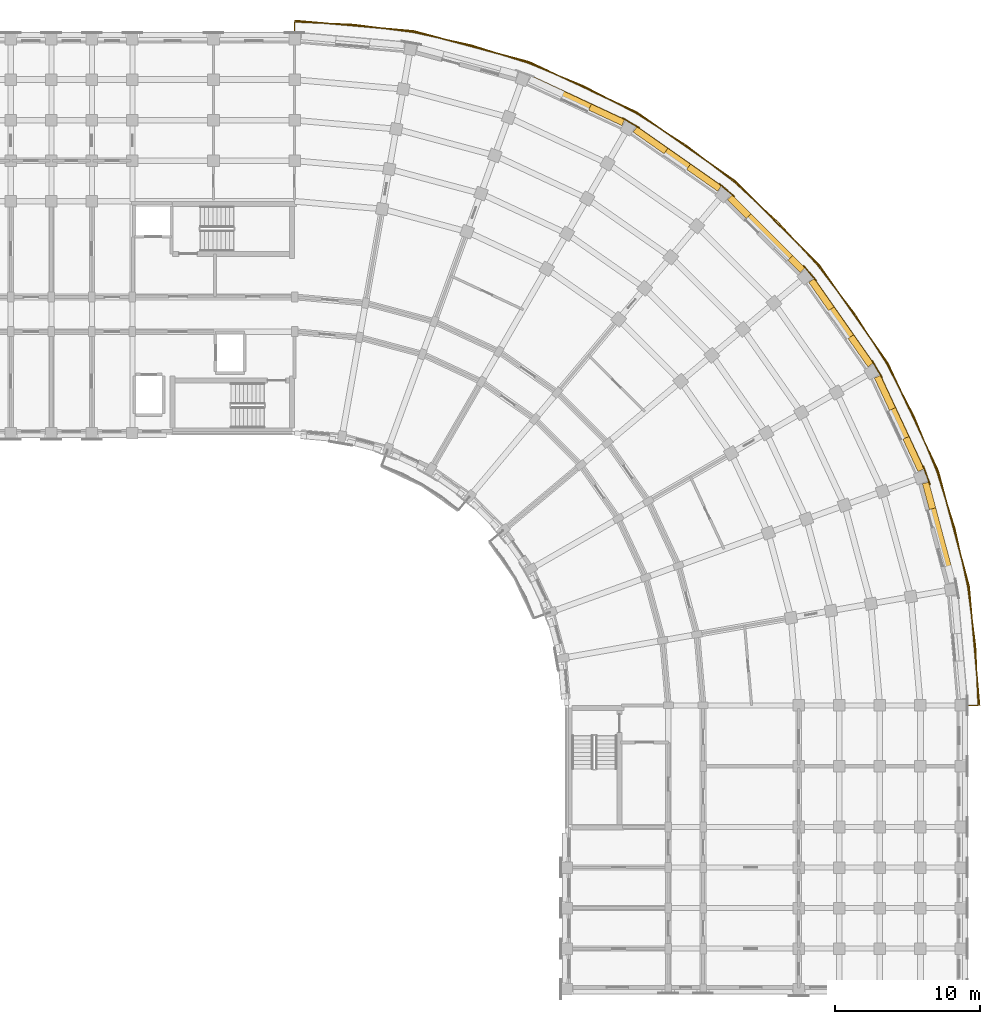
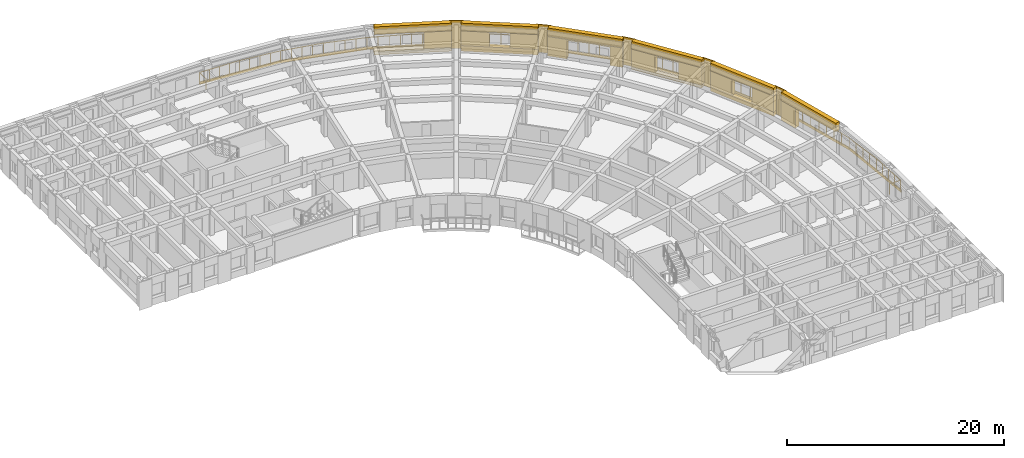
# One storey, part 52 of 54: 26 coverings, 1 railing.
"""IFC4 building model written with IfcOpenShell, lengths in metres."""

from ifc_helpers import new_model, si_unit, direction, frame, origin, origin_2d, place, context, subcontext, project, spatial, polyline, circle, outline, extrude, material, layer, layer_set, type_object, element, save


model = new_model("IFC4")

# Units and contexts
model_context = context("Model", 3, precision=1e-05, world=origin(), true_north=direction((0.0, 1.0)))
body_context = subcontext(model_context, "Body", "Model", "MODEL_VIEW")
ifc_project = project(units=[si_unit("LENGTHUNIT", "METRE"), si_unit("AREAUNIT", "SQUARE_METRE"), si_unit("VOLUMEUNIT", "CUBIC_METRE"), si_unit("PLANEANGLEUNIT", "RADIAN"), si_unit("MASSUNIT", "GRAM", prefix="KILO")], contexts=[model_context])

# Site, building, storey
site_placement = place(None, origin())
site = spatial("IfcSite", under=ifc_project, at=site_placement, CompositionType="ELEMENT")
building_placement = place(site_placement, origin())
building = spatial("IfcBuilding", under=site, at=building_placement, Name="Kiranvali Square Residences", CompositionType="ELEMENT")
storey_placement = place(building_placement, frame((0.0, 0.0, 15.0)))
storey = spatial("IfcBuildingStorey", under=building, at=storey_placement, Name="L04", CompositionType="ELEMENT", Elevation=15.0)

# Coverings
ifc_material_1 = material(Name="Carved Porbandar limestone classical entablature and cornice", Category="masonry")
ifc_layer_1 = layer(ifc_material_1, 0.072021484375)
ifc_layer_set_1 = layer_set([ifc_layer_1], Name="Carved Porbandar limestone classical entablature and cornice")
covering_type_1 = type_object("IfcCoveringType", Name="COV-CLAD-BAL", PredefinedType="CLADDING", material=ifc_layer_set_1)
covering_1_placement = place(storey_placement, frame((0.0, 0.0, -0.239990234375)))
element("IfcCovering", 1, at=covering_1_placement, inside=storey, type_object=covering_type_1, Name="Block B L04 continuous curved limestone balcony fascia", PredefinedType="CLADDING", context=body_context, shape_type="SweptSolid", body=[
    extrude(outline(polyline([(119.800048828125, 135.052001953125), (128.005126953125, 134.334228515625), (135.961181640625, 132.202392578125), (143.426025390625, 128.721435546875), (150.173095703125, 123.9970703125), (155.9970703125, 118.173095703125), (160.721435546875, 111.426025390625), (164.202392578125, 103.961181640625), (166.334228515625, 96.005126953125), (167.052001953125, 87.800048828125), (167.117919921875, 87.800048828125), (166.399169921875, 96.0166015625), (164.264404296875, 103.983642578125), (160.778564453125, 111.458984375), (156.047607421875, 118.21533203125), (150.21533203125, 124.047607421875), (143.458984375, 128.778564453125), (135.983642578125, 132.264404296875), (128.0166015625, 134.399169921875), (119.800048828125, 135.117919921875), (119.800048828125, 135.052001953125)])), origin(), (0.0, 0.0, 1.0), 0.300048828125),
])
ifc_material_2 = material(Name="Honed Porbandar limestone ashlar facade cladding", Category="masonry")
ifc_layer_2 = layer(ifc_material_2, 0.3798828125)
ifc_layer_set_2 = layer_set([ifc_layer_2], Name="Honed Porbandar limestone ashlar facade cladding")
covering_type_2 = type_object("IfcCoveringType", Name="COV-CLAD-JAMB", PredefinedType="CLADDING", material=ifc_layer_set_2)
covering_2_placement = place(storey_placement, frame((0.0, 0.0, 0.422119140625)))
element("IfcCovering", 2, at=covering_2_placement, inside=storey, type_object=covering_type_2, Name="L04 deep limestone window jamb reveal B-L04-CRV-02.R", PredefinedType="CLADDING", context=body_context, shape_type="SweptSolid", body=[
    extrude(outline(polyline([(140.095703125, 128.898681640625), (142.392333984375, 127.827880859375), (142.586669921875, 128.244140625), (140.289794921875, 129.315185546875), (140.095703125, 128.898681640625)])), origin(), (0.0, 0.0, 1.0), 1.849853515625),
])
covering_3_placement = place(storey_placement, frame((0.0, 0.0, 0.6220703125)))
element("IfcCovering", 3, at=covering_3_placement, inside=storey, type_object=covering_type_2, Name="L04 deep limestone window jamb reveal B-L04-CRV-03.L", PredefinedType="CLADDING", context=body_context, shape_type="SweptSolid", body=[
    extrude(outline(polyline([(143.1689453125, 127.37939453125), (145.30615234375, 125.8828125), (145.56982421875, 126.25927734375), (143.432373046875, 127.755859375), (143.1689453125, 127.37939453125)])), origin(), (0.0, 0.0, 1.0), 1.64990234375),
])
covering_4_placement = place(storey_placement, frame((0.0, 0.0, 0.6220703125)))
element("IfcCovering", 4, at=covering_4_placement, inside=storey, type_object=covering_type_2, Name="L04 deep limestone window jamb reveal B-L04-CRV-03.R", PredefinedType="CLADDING", context=body_context, shape_type="SweptSolid", body=[
    extrude(outline(polyline([(146.862548828125, 124.793212890625), (149.0, 123.296630859375), (149.263427734375, 123.6728515625), (147.126220703125, 125.16943359375), (146.862548828125, 124.793212890625)])), origin(), (0.0, 0.0, 1.0), 1.64990234375),
])
covering_5_placement = place(storey_placement, origin())
element("IfcCovering", 5, at=covering_5_placement, inside=storey, type_object=covering_type_2, Name="L04 deep limestone window jamb reveal B-L04-CRV-04.L", PredefinedType="CLADDING", context=body_context, shape_type="SweptSolid", body=[
    extrude(outline(polyline([(149.686767578125, 122.72021484375), (150.98876953125, 121.418212890625), (151.313720703125, 121.742919921875), (150.01171875, 123.045166015625), (149.686767578125, 122.72021484375)])), origin(), (0.0, 0.0, 1.0), 2.179931640625),
])
covering_6_placement = place(storey_placement, origin())
element("IfcCovering", 6, at=covering_6_placement, inside=storey, type_object=covering_type_2, Name="L04 deep limestone window jamb reveal B-L04-CRV-04.R", PredefinedType="CLADDING", context=body_context, shape_type="SweptSolid", body=[
    extrude(outline(polyline([(153.87109375, 118.535888671875), (154.72021484375, 117.686767578125), (155.045166015625, 118.01171875), (154.196044921875, 118.86083984375), (153.87109375, 118.535888671875)])), origin(), (0.0, 0.0, 1.0), 2.179931640625),
])
covering_7_placement = place(storey_placement, frame((0.0, 0.0, 0.322021484375)))
element("IfcCovering", 7, at=covering_7_placement, inside=storey, type_object=covering_type_2, Name="L04 deep limestone window jamb reveal B-L04-CRV-05.L", PredefinedType="CLADDING", context=body_context, shape_type="SweptSolid", body=[
    extrude(outline(polyline([(155.296630859375, 117.0), (156.6640625, 115.046875), (157.04052734375, 115.310546875), (155.6728515625, 117.263427734375), (155.296630859375, 117.0)])), origin(), (0.0, 0.0, 1.0), 1.949951171875),
])
covering_8_placement = place(storey_placement, frame((0.0, 0.0, 0.322021484375)))
element("IfcCovering", 8, at=covering_8_placement, inside=storey, type_object=covering_type_2, Name="L04 deep limestone window jamb reveal B-L04-CRV-05.R", PredefinedType="CLADDING", context=body_context, shape_type="SweptSolid", body=[
    extrude(outline(polyline([(158.011962890625, 113.121826171875), (159.37939453125, 111.1689453125), (159.755859375, 111.432373046875), (158.388427734375, 113.385498046875), (158.011962890625, 113.121826171875)])), origin(), (0.0, 0.0, 1.0), 1.949951171875),
])
covering_9_placement = place(storey_placement, frame((0.0, 0.0, 0.471923828125)))
element("IfcCovering", 9, at=covering_9_placement, inside=storey, type_object=covering_type_2, Name="L04 deep limestone window jamb reveal B-L04-CRV-06.L", PredefinedType="CLADDING", context=body_context, shape_type="SweptSolid", body=[
    extrude(outline(polyline([(159.827880859375, 110.392333984375), (160.8671875, 108.16357421875), (161.283447265625, 108.35791015625), (160.244140625, 110.586669921875), (159.827880859375, 110.392333984375)])), origin(), (0.0, 0.0, 1.0), 1.800048828125),
])
covering_10_placement = place(storey_placement, frame((0.0, 0.0, 0.471923828125)))
element("IfcCovering", 10, at=covering_10_placement, inside=storey, type_object=covering_type_2, Name="L04 deep limestone window jamb reveal B-L04-CRV-06.R", PredefinedType="CLADDING", context=body_context, shape_type="SweptSolid", body=[
    extrude(outline(polyline([(161.796875, 106.169677734375), (162.836181640625, 103.94091796875), (163.252685546875, 104.13525390625), (162.21337890625, 106.364013671875), (161.796875, 106.169677734375)])), origin(), (0.0, 0.0, 1.0), 1.800048828125),
])
covering_11_placement = place(storey_placement, origin())
element("IfcCovering", 11, at=covering_11_placement, inside=storey, type_object=covering_type_2, Name="L04 deep limestone window jamb reveal B-L04-CRV-07.L", PredefinedType="CLADDING", context=body_context, shape_type="SweptSolid", body=[
    extrude(outline(polyline([(163.142822265625, 103.098388671875), (163.619384765625, 101.31982421875), (164.063232421875, 101.438720703125), (163.586669921875, 103.21728515625), (163.142822265625, 103.098388671875)])), origin(), (0.0, 0.0, 1.0), 2.179931640625),
])
ifc_layer_3 = layer(ifc_material_2, 0.06494140625)
ifc_layer_set_3 = layer_set([ifc_layer_3], Name="Honed Porbandar limestone ashlar facade cladding")
covering_type_3 = type_object("IfcCoveringType", Name="COV-CLAD-PIER", PredefinedType="CLADDING", material=ifc_layer_set_3)
covering_12_placement = place(storey_placement, frame((0.0, 0.0, 0.0048828125)))
element("IfcCovering", 12, at=covering_12_placement, inside=storey, type_object=covering_type_3, Name="L04 Classical limestone corner pilaster CLAD-PR-B-L04-A03", PredefinedType="CLADDING", context=body_context, shape_type="SweptSolid", body=[
    extrude(outline(polyline([(143.622802734375, 127.702392578125), (142.445068359375, 128.382568359375), (142.411376953125, 128.323974609375), (143.589111328125, 127.64404296875), (143.622802734375, 127.702392578125)])), origin(), (0.0, 0.0, 1.0), 3.14013671875),
])
covering_13_placement = place(storey_placement, frame((0.0, 0.0, 0.0048828125)))
element("IfcCovering", 13, at=covering_13_placement, inside=storey, type_object=covering_type_3, Name="L04 Classical limestone corner pilaster CLAD-PR-B-L04-A04", PredefinedType="CLADDING", context=body_context, shape_type="SweptSolid", body=[
    extrude(outline(polyline([(150.18994140625, 122.95947265625), (149.148193359375, 123.833740234375), (149.104736328125, 123.781982421875), (150.146484375, 122.90771484375), (150.18994140625, 122.95947265625)])), origin(), (0.0, 0.0, 1.0), 3.14013671875),
])
covering_14_placement = place(storey_placement, frame((0.0, 0.0, 0.0048828125)))
element("IfcCovering", 14, at=covering_14_placement, inside=storey, type_object=covering_type_3, Name="L04 Classical limestone corner pilaster CLAD-PR-B-L04-A05", PredefinedType="CLADDING", context=body_context, shape_type="SweptSolid", body=[
    extrude(outline(polyline([(155.833740234375, 117.148193359375), (154.95947265625, 118.18994140625), (154.90771484375, 118.146484375), (155.781982421875, 117.104736328125), (155.833740234375, 117.148193359375)])), origin(), (0.0, 0.0, 1.0), 3.14013671875),
])
covering_15_placement = place(storey_placement, frame((0.0, 0.0, 0.0048828125)))
element("IfcCovering", 15, at=covering_15_placement, inside=storey, type_object=covering_type_3, Name="L04 Classical limestone corner pilaster CLAD-PR-B-L04-A06", PredefinedType="CLADDING", context=body_context, shape_type="SweptSolid", body=[
    extrude(outline(polyline([(160.382568359375, 110.445068359375), (159.702392578125, 111.622802734375), (159.64404296875, 111.589111328125), (160.323974609375, 110.411376953125), (160.382568359375, 110.445068359375)])), origin(), (0.0, 0.0, 1.0), 3.14013671875),
])
covering_16_placement = place(storey_placement, frame((0.0, 0.0, 0.0048828125)))
element("IfcCovering", 16, at=covering_16_placement, inside=storey, type_object=covering_type_3, Name="L04 Classical limestone corner pilaster CLAD-PR-B-L04-A07", PredefinedType="CLADDING", context=body_context, shape_type="SweptSolid", body=[
    extrude(outline(polyline([(163.6982421875, 103.053955078125), (163.233154296875, 104.33203125), (163.169677734375, 104.308837890625), (163.634765625, 103.031005859375), (163.6982421875, 103.053955078125)])), origin(), (0.0, 0.0, 1.0), 3.14013671875),
])
ifc_layer_4 = layer(ifc_material_2, 0.360107421875)
ifc_layer_set_4 = layer_set([ifc_layer_4], Name="Honed Porbandar limestone ashlar facade cladding")
covering_type_4 = type_object("IfcCoveringType", Name="COV-CLAD-WALL", PredefinedType="CLADDING", material=ifc_layer_set_4)
covering_17_placement = place(storey_placement, frame((0.0, 0.0, 2.27197265625)))
element("IfcCovering", 17, at=covering_17_placement, inside=storey, type_object=covering_type_4, Name="L04 light limestone spandrel lintel B-L04-CRV-02", PredefinedType="CLADDING", context=body_context, shape_type="SweptSolid", body=[
    extrude(outline(polyline([(135.94091796875, 130.836181640625), (142.392333984375, 127.827880859375), (142.586669921875, 128.244140625), (136.13525390625, 131.252685546875), (135.94091796875, 130.836181640625)])), origin(), (0.0, 0.0, 1.0), 0.873046875),
])
covering_18_placement = place(storey_placement, frame((0.0, 0.0, 0.0048828125)))
element("IfcCovering", 18, at=covering_18_placement, inside=storey, type_object=covering_type_4, Name="L04 limestone window sill apron B-L04-CRV-02", PredefinedType="CLADDING", context=body_context, shape_type="SweptSolid", body=[
    extrude(outline(polyline([(135.94091796875, 130.836181640625), (142.392333984375, 127.827880859375), (142.59912109375, 128.271484375), (136.14794921875, 131.27978515625), (135.94091796875, 130.836181640625)])), origin(), (0.0, 0.0, 1.0), 0.417236328125),
])
covering_19_placement = place(storey_placement, frame((0.0, 0.0, 2.27197265625)))
element("IfcCovering", 19, at=covering_19_placement, inside=storey, type_object=covering_type_4, Name="L04 light limestone spandrel lintel B-L04-CRV-03", PredefinedType="CLADDING", context=body_context, shape_type="SweptSolid", body=[
    extrude(outline(polyline([(143.1689453125, 127.37939453125), (149.0, 123.296630859375), (149.263427734375, 123.6728515625), (143.432373046875, 127.755859375), (143.1689453125, 127.37939453125)])), origin(), (0.0, 0.0, 1.0), 0.873046875),
])
covering_20_placement = place(storey_placement, frame((0.0, 0.0, 0.0048828125)))
element("IfcCovering", 20, at=covering_20_placement, inside=storey, type_object=covering_type_4, Name="L04 limestone window sill apron B-L04-CRV-03", PredefinedType="CLADDING", context=body_context, shape_type="SweptSolid", body=[
    extrude(outline(polyline([(143.1689453125, 127.37939453125), (149.0, 123.296630859375), (149.28076171875, 123.697509765625), (143.44970703125, 127.780517578125), (143.1689453125, 127.37939453125)])), origin(), (0.0, 0.0, 1.0), 0.6171875),
])
covering_21_placement = place(storey_placement, frame((0.0, 0.0, 2.179931640625)))
element("IfcCovering", 21, at=covering_21_placement, inside=storey, type_object=covering_type_4, Name="L04 light limestone spandrel lintel B-L04-CRV-04", PredefinedType="CLADDING", context=body_context, shape_type="SweptSolid", body=[
    extrude(outline(polyline([(149.686767578125, 122.72021484375), (154.72021484375, 117.686767578125), (155.045166015625, 118.01171875), (150.01171875, 123.045166015625), (149.686767578125, 122.72021484375)])), origin(), (0.0, 0.0, 1.0), 0.965087890625),
])
covering_22_placement = place(storey_placement, frame((0.0, 0.0, 2.27197265625)))
element("IfcCovering", 22, at=covering_22_placement, inside=storey, type_object=covering_type_4, Name="L04 light limestone spandrel lintel B-L04-CRV-05", PredefinedType="CLADDING", context=body_context, shape_type="SweptSolid", body=[
    extrude(outline(polyline([(155.296630859375, 117.0), (159.37939453125, 111.1689453125), (159.755859375, 111.432373046875), (155.6728515625, 117.263427734375), (155.296630859375, 117.0)])), origin(), (0.0, 0.0, 1.0), 0.873046875),
])
covering_23_placement = place(storey_placement, frame((0.0, 0.0, 0.0048828125)))
element("IfcCovering", 23, at=covering_23_placement, inside=storey, type_object=covering_type_4, Name="L04 limestone window sill apron B-L04-CRV-05", PredefinedType="CLADDING", context=body_context, shape_type="SweptSolid", body=[
    extrude(outline(polyline([(155.296630859375, 117.0), (159.37939453125, 111.1689453125), (159.780517578125, 111.44970703125), (155.697509765625, 117.28076171875), (155.296630859375, 117.0)])), origin(), (0.0, 0.0, 1.0), 0.317138671875),
])
covering_24_placement = place(storey_placement, frame((0.0, 0.0, 2.27197265625)))
element("IfcCovering", 24, at=covering_24_placement, inside=storey, type_object=covering_type_4, Name="L04 light limestone spandrel lintel B-L04-CRV-06", PredefinedType="CLADDING", context=body_context, shape_type="SweptSolid", body=[
    extrude(outline(polyline([(159.827880859375, 110.392333984375), (162.836181640625, 103.94091796875), (163.252685546875, 104.13525390625), (160.244140625, 110.586669921875), (159.827880859375, 110.392333984375)])), origin(), (0.0, 0.0, 1.0), 0.873046875),
])
covering_25_placement = place(storey_placement, frame((0.0, 0.0, 0.0048828125)))
element("IfcCovering", 25, at=covering_25_placement, inside=storey, type_object=covering_type_4, Name="L04 limestone window sill apron B-L04-CRV-06", PredefinedType="CLADDING", context=body_context, shape_type="SweptSolid", body=[
    extrude(outline(polyline([(159.827880859375, 110.392333984375), (162.836181640625, 103.94091796875), (163.27978515625, 104.14794921875), (160.271484375, 110.59912109375), (159.827880859375, 110.392333984375)])), origin(), (0.0, 0.0, 1.0), 0.467041015625),
])
covering_26_placement = place(storey_placement, frame((0.0, 0.0, 2.179931640625)))
element("IfcCovering", 26, at=covering_26_placement, inside=storey, type_object=covering_type_4, Name="L04 light limestone spandrel lintel B-L04-CRV-07", PredefinedType="CLADDING", context=body_context, shape_type="SweptSolid", body=[
    extrude(outline(polyline([(163.142822265625, 103.098388671875), (164.985107421875, 96.22265625), (165.428955078125, 96.341552734375), (163.586669921875, 103.21728515625), (163.142822265625, 103.098388671875)])), origin(), (0.0, 0.0, 1.0), 0.965087890625),
])

# Railing
ifc_material_3 = material(Name="Powder-coated architectural bronze balustrade", Category="steel")
railing_type = type_object("IfcRailingType", Name="RL-BAL-GOLD-1200", PredefinedType="BALUSTRADE", material=ifc_material_3)
railing_placement = place(storey_placement, frame((119.800048828125, 133.840087890625, 0.0)))
element("IfcRailing", 27, at=railing_placement, inside=storey, type_object=railing_type, Name="Block B L04 continuous curved corner gold balustrade", PredefinedType="BALUSTRADE", context=body_context, shape_type="SweptSolid", body=[
    extrude(circle(Radius=0.02392578125, at=origin_2d()), frame((0.0, 0.0, 1.17578125), z_axis=(0.0, 1.0, 0.0), x_axis=(-1.0, 0.0, 0.0)), (0.0, 0.0, 1.0), 1.14990234375),
    extrude(circle(Radius=0.02392578125, at=origin_2d()), frame((0.0, 1.14990234375, 1.17578125), z_axis=(0.999049544955, -0.043589066576, 0.0), x_axis=(0.043589066576, 0.999049544955, 0.0)), (0.0, 0.0, 1.0), 4.11669921875),
    extrude(circle(Radius=0.02392578125, at=origin_2d()), frame((4.11279296875, 0.970458984375, 1.17578125), z_axis=(0.991444603928, -0.1305281477, 0.0), x_axis=(0.1305281477, 0.991444603928, 0.0)), (0.0, 0.0, 1.0), 4.11669921875),
    extrude(circle(Radius=0.02392578125, at=origin_2d()), frame((8.1943359375, 0.43310546875, 1.17578125), z_axis=(0.976292989924, -0.216453223181, 0.0), x_axis=(0.216453223181, 0.976292989924, 0.0)), (0.0, 0.0, 1.0), 4.116943359375),
    extrude(circle(Radius=0.02392578125, at=origin_2d()), frame((12.213623046875, -0.4580078125, 1.17578125), z_axis=(0.953710744932, -0.300725481131, 0.0), x_axis=(0.300725481131, 0.953710744932, 0.0)), (0.0, 0.0, 1.0), 4.116943359375),
    extrude(circle(Radius=0.02392578125, at=origin_2d()), frame((16.139892578125, -1.696044921875, 1.17578125), z_axis=(0.923880226262, -0.382681757498, 0.0), x_axis=(0.382681757498, 0.923880226262, 0.0)), (0.0, 0.0, 1.0), 4.116943359375),
    extrude(circle(Radius=0.02392578125, at=origin_2d()), frame((19.943359375, -3.271484375, 1.17578125), z_axis=(0.887013781313, -0.461742949877, 0.0), x_axis=(0.461742949877, 0.887013781313, 0.0)), (0.0, 0.0, 1.0), 4.11669921875),
    extrude(circle(Radius=0.02392578125, at=origin_2d()), frame((23.594970703125, -5.17236328125, 1.17578125), z_axis=(0.843402550976, -0.537282176335, 0.0), x_axis=(0.537282176335, 0.843402550976, 0.0)), (0.0, 0.0, 1.0), 4.116943359375),
    extrude(circle(Radius=0.02392578125, at=origin_2d()), frame((27.067138671875, -7.38427734375, 1.17578125), z_axis=(0.793339967331, -0.608778856594, 0.0), x_axis=(0.608778856594, 0.793339967331, 0.0)), (0.0, 0.0, 1.0), 4.11669921875),
    extrude(circle(Radius=0.02392578125, at=origin_2d()), frame((30.3330078125, -9.890380859375, 1.17578125), z_axis=(0.737299356654, -0.675566176386, 0.0), x_axis=(0.675566176386, 0.737299356654, 0.0)), (0.0, 0.0, 1.0), 4.116943359375),
    extrude(circle(Radius=0.02392578125, at=origin_2d()), frame((33.368408203125, -12.671630859375, 1.17578125), z_axis=(0.675566176386, -0.737299356654, 0.0), x_axis=(0.737299356654, 0.675566176386, 0.0)), (0.0, 0.0, 1.0), 4.116943359375),
    extrude(circle(Radius=0.02392578125, at=origin_2d()), frame((36.149658203125, -15.70703125, 1.17578125), z_axis=(0.608778856594, -0.793339967331, 0.0), x_axis=(0.793339967331, 0.608778856594, 0.0)), (0.0, 0.0, 1.0), 4.11669921875),
    extrude(circle(Radius=0.02392578125, at=origin_2d()), frame((38.65576171875, -18.972900390625, 1.17578125), z_axis=(0.537282176335, -0.843402550976, 0.0), x_axis=(0.843402550976, 0.537282176335, 0.0)), (0.0, 0.0, 1.0), 4.116943359375),
    extrude(circle(Radius=0.02392578125, at=origin_2d()), frame((40.86767578125, -22.445068359375, 1.17578125), z_axis=(0.461742949877, -0.887013781313, 0.0), x_axis=(0.887013781313, 0.461742949877, 0.0)), (0.0, 0.0, 1.0), 4.11669921875),
    extrude(circle(Radius=0.02392578125, at=origin_2d()), frame((42.7685546875, -26.0966796875, 1.17578125), z_axis=(0.382681757498, -0.923880226262, 0.0), x_axis=(0.923880226262, 0.382681757498, 0.0)), (0.0, 0.0, 1.0), 4.116943359375),
    extrude(circle(Radius=0.02392578125, at=origin_2d()), frame((44.343994140625, -29.900146484375, 1.17578125), z_axis=(0.300725481131, -0.953710744932, 0.0), x_axis=(0.953710744932, 0.300725481131, 0.0)), (0.0, 0.0, 1.0), 4.116943359375),
    extrude(circle(Radius=0.02392578125, at=origin_2d()), frame((45.58203125, -33.826416015625, 1.17578125), z_axis=(0.216453223181, -0.976292989924, 0.0), x_axis=(0.976292989924, 0.216453223181, 0.0)), (0.0, 0.0, 1.0), 4.116943359375),
    extrude(circle(Radius=0.02392578125, at=origin_2d()), frame((46.47314453125, -37.845703125, 1.17578125), z_axis=(0.1305281477, -0.991444603928, 0.0), x_axis=(0.991444603928, 0.1305281477, 0.0)), (0.0, 0.0, 1.0), 4.11669921875),
    extrude(circle(Radius=0.02392578125, at=origin_2d()), frame((47.010498046875, -41.92724609375, 1.17578125), z_axis=(0.043589066576, -0.999049544955, 0.0), x_axis=(0.999049544955, 0.043589066576, 0.0)), (0.0, 0.0, 1.0), 4.11669921875),
    extrude(circle(Radius=0.02392578125, at=origin_2d()), frame((47.18994140625, -46.0400390625, 1.17578125), z_axis=(-1.0, 0.0, 0.0), x_axis=(0.0, -1.0, 0.0)), (0.0, 0.0, 1.0), 1.14990234375),
    extrude(circle(Radius=0.02099609375, at=origin_2d()), origin(), (0.0, 0.0, 1.0), 1.15185546875),
    extrude(circle(Radius=0.02099609375, at=origin_2d()), frame((0.0, 1.14990234375, 0.0)), (0.0, 0.0, 1.0), 1.15185546875),
    extrude(circle(Radius=0.02099609375, at=origin_2d()), frame((1.0283203125, 1.10498046875, 0.0)), (0.0, 0.0, 1.0), 1.15185546875),
    extrude(circle(Radius=0.02099609375, at=origin_2d()), frame((2.056396484375, 1.06005859375, 0.0)), (0.0, 0.0, 1.0), 1.15185546875),
    extrude(circle(Radius=0.02099609375, at=origin_2d()), frame((3.08447265625, 1.015380859375, 0.0)), (0.0, 0.0, 1.0), 1.15185546875),
    extrude(circle(Radius=0.02099609375, at=origin_2d()), frame((4.11279296875, 0.970458984375, 0.0)), (0.0, 0.0, 1.0), 1.15185546875),
    extrude(circle(Radius=0.02099609375, at=origin_2d()), frame((5.13330078125, 0.836181640625, 0.0)), (0.0, 0.0, 1.0), 1.15185546875),
    extrude(circle(Radius=0.02099609375, at=origin_2d()), frame((6.153564453125, 0.70166015625, 0.0)), (0.0, 0.0, 1.0), 1.15185546875),
    extrude(circle(Radius=0.02099609375, at=origin_2d()), frame((7.173828125, 0.5673828125, 0.0)), (0.0, 0.0, 1.0), 1.15185546875),
    extrude(circle(Radius=0.02099609375, at=origin_2d()), frame((8.1943359375, 0.43310546875, 0.0)), (0.0, 0.0, 1.0), 1.15185546875),
    extrude(circle(Radius=0.02099609375, at=origin_2d()), frame((9.19921875, 0.21044921875, 0.0)), (0.0, 0.0, 1.0), 1.15185546875),
    extrude(circle(Radius=0.02099609375, at=origin_2d()), frame((10.2041015625, -0.012451171875, 0.0)), (0.0, 0.0, 1.0), 1.15185546875),
    extrude(circle(Radius=0.02099609375, at=origin_2d()), frame((11.208740234375, -0.2353515625, 0.0)), (0.0, 0.0, 1.0), 1.15185546875),
    extrude(circle(Radius=0.02099609375, at=origin_2d()), frame((12.213623046875, -0.4580078125, 0.0)), (0.0, 0.0, 1.0), 1.15185546875),
    extrude(circle(Radius=0.02099609375, at=origin_2d()), frame((13.1953125, -0.767578125, 0.0)), (0.0, 0.0, 1.0), 1.15185546875),
    extrude(circle(Radius=0.02099609375, at=origin_2d()), frame((14.1767578125, -1.0771484375, 0.0)), (0.0, 0.0, 1.0), 1.15185546875),
    extrude(circle(Radius=0.02099609375, at=origin_2d()), frame((15.158203125, -1.386474609375, 0.0)), (0.0, 0.0, 1.0), 1.15185546875),
    extrude(circle(Radius=0.02099609375, at=origin_2d()), frame((16.139892578125, -1.696044921875, 0.0)), (0.0, 0.0, 1.0), 1.15185546875),
    extrude(circle(Radius=0.02099609375, at=origin_2d()), frame((17.0908203125, -2.08984375, 0.0)), (0.0, 0.0, 1.0), 1.15185546875),
    extrude(circle(Radius=0.02099609375, at=origin_2d()), frame((18.04150390625, -2.48388671875, 0.0)), (0.0, 0.0, 1.0), 1.15185546875),
    extrude(circle(Radius=0.02099609375, at=origin_2d()), frame((18.992431640625, -2.877685546875, 0.0)), (0.0, 0.0, 1.0), 1.15185546875),
    extrude(circle(Radius=0.02099609375, at=origin_2d()), frame((19.943359375, -3.271484375, 0.0)), (0.0, 0.0, 1.0), 1.15185546875),
    extrude(circle(Radius=0.02099609375, at=origin_2d()), frame((20.856201171875, -3.74658203125, 0.0)), (0.0, 0.0, 1.0), 1.15185546875),
    extrude(circle(Radius=0.02099609375, at=origin_2d()), frame((21.76904296875, -4.221923828125, 0.0)), (0.0, 0.0, 1.0), 1.15185546875),
    extrude(circle(Radius=0.02099609375, at=origin_2d()), frame((22.68212890625, -4.697265625, 0.0)), (0.0, 0.0, 1.0), 1.15185546875),
    extrude(circle(Radius=0.02099609375, at=origin_2d()), frame((23.594970703125, -5.17236328125, 0.0)), (0.0, 0.0, 1.0), 1.15185546875),
    extrude(circle(Radius=0.02099609375, at=origin_2d()), frame((24.462890625, -5.725341796875, 0.0)), (0.0, 0.0, 1.0), 1.15185546875),
    extrude(circle(Radius=0.02099609375, at=origin_2d()), frame((25.3310546875, -6.2783203125, 0.0)), (0.0, 0.0, 1.0), 1.15185546875),
    extrude(circle(Radius=0.02099609375, at=origin_2d()), frame((26.19921875, -6.831298828125, 0.0)), (0.0, 0.0, 1.0), 1.15185546875),
    extrude(circle(Radius=0.02099609375, at=origin_2d()), frame((27.067138671875, -7.38427734375, 0.0)), (0.0, 0.0, 1.0), 1.15185546875),
    extrude(circle(Radius=0.02099609375, at=origin_2d()), frame((27.883544921875, -8.0107421875, 0.0)), (0.0, 0.0, 1.0), 1.15185546875),
    extrude(circle(Radius=0.02099609375, at=origin_2d()), frame((28.7001953125, -8.63720703125, 0.0)), (0.0, 0.0, 1.0), 1.15185546875),
    extrude(circle(Radius=0.02099609375, at=origin_2d()), frame((29.5166015625, -9.263916015625, 0.0)), (0.0, 0.0, 1.0), 1.15185546875),
    extrude(circle(Radius=0.02099609375, at=origin_2d()), frame((30.3330078125, -9.890380859375, 0.0)), (0.0, 0.0, 1.0), 1.15185546875),
    extrude(circle(Radius=0.02099609375, at=origin_2d()), frame((31.091796875, -10.585693359375, 0.0)), (0.0, 0.0, 1.0), 1.15185546875),
    extrude(circle(Radius=0.02099609375, at=origin_2d()), frame((31.8505859375, -11.281005859375, 0.0)), (0.0, 0.0, 1.0), 1.15185546875),
    extrude(circle(Radius=0.02099609375, at=origin_2d()), frame((32.609619140625, -11.976318359375, 0.0)), (0.0, 0.0, 1.0), 1.15185546875),
    extrude(circle(Radius=0.02099609375, at=origin_2d()), frame((33.368408203125, -12.671630859375, 0.0)), (0.0, 0.0, 1.0), 1.15185546875),
    extrude(circle(Radius=0.02099609375, at=origin_2d()), frame((34.063720703125, -13.430419921875, 0.0)), (0.0, 0.0, 1.0), 1.15185546875),
    extrude(circle(Radius=0.02099609375, at=origin_2d()), frame((34.759033203125, -14.189453125, 0.0)), (0.0, 0.0, 1.0), 1.15185546875),
    extrude(circle(Radius=0.02099609375, at=origin_2d()), frame((35.454345703125, -14.9482421875, 0.0)), (0.0, 0.0, 1.0), 1.15185546875),
    extrude(circle(Radius=0.02099609375, at=origin_2d()), frame((36.149658203125, -15.70703125, 0.0)), (0.0, 0.0, 1.0), 1.15185546875),
    extrude(circle(Radius=0.02099609375, at=origin_2d()), frame((36.776123046875, -16.5234375, 0.0)), (0.0, 0.0, 1.0), 1.15185546875),
    extrude(circle(Radius=0.02099609375, at=origin_2d()), frame((37.40283203125, -17.33984375, 0.0)), (0.0, 0.0, 1.0), 1.15185546875),
    extrude(circle(Radius=0.02099609375, at=origin_2d()), frame((38.029296875, -18.156494140625, 0.0)), (0.0, 0.0, 1.0), 1.15185546875),
    extrude(circle(Radius=0.02099609375, at=origin_2d()), frame((38.65576171875, -18.972900390625, 0.0)), (0.0, 0.0, 1.0), 1.15185546875),
    extrude(circle(Radius=0.02099609375, at=origin_2d()), frame((39.208740234375, -19.8408203125, 0.0)), (0.0, 0.0, 1.0), 1.15185546875),
    extrude(circle(Radius=0.02099609375, at=origin_2d()), frame((39.76171875, -20.708984375, 0.0)), (0.0, 0.0, 1.0), 1.15185546875),
    extrude(circle(Radius=0.02099609375, at=origin_2d()), frame((40.314697265625, -21.5771484375, 0.0)), (0.0, 0.0, 1.0), 1.15185546875),
    extrude(circle(Radius=0.02099609375, at=origin_2d()), frame((40.86767578125, -22.445068359375, 0.0)), (0.0, 0.0, 1.0), 1.15185546875),
    extrude(circle(Radius=0.02099609375, at=origin_2d()), frame((41.3427734375, -23.35791015625, 0.0)), (0.0, 0.0, 1.0), 1.15185546875),
    extrude(circle(Radius=0.02099609375, at=origin_2d()), frame((41.818115234375, -24.27099609375, 0.0)), (0.0, 0.0, 1.0), 1.15185546875),
    extrude(circle(Radius=0.02099609375, at=origin_2d()), frame((42.29345703125, -25.183837890625, 0.0)), (0.0, 0.0, 1.0), 1.15185546875),
    extrude(circle(Radius=0.02099609375, at=origin_2d()), frame((42.7685546875, -26.0966796875, 0.0)), (0.0, 0.0, 1.0), 1.15185546875),
    extrude(circle(Radius=0.02099609375, at=origin_2d()), frame((43.162353515625, -27.047607421875, 0.0)), (0.0, 0.0, 1.0), 1.15185546875),
    extrude(circle(Radius=0.02099609375, at=origin_2d()), frame((43.55615234375, -27.99853515625, 0.0)), (0.0, 0.0, 1.0), 1.15185546875),
    extrude(circle(Radius=0.02099609375, at=origin_2d()), frame((43.9501953125, -28.94921875, 0.0)), (0.0, 0.0, 1.0), 1.15185546875),
    extrude(circle(Radius=0.02099609375, at=origin_2d()), frame((44.343994140625, -29.900146484375, 0.0)), (0.0, 0.0, 1.0), 1.15185546875),
    extrude(circle(Radius=0.02099609375, at=origin_2d()), frame((44.653564453125, -30.8818359375, 0.0)), (0.0, 0.0, 1.0), 1.15185546875),
    extrude(circle(Radius=0.02099609375, at=origin_2d()), frame((44.962890625, -31.86328125, 0.0)), (0.0, 0.0, 1.0), 1.15185546875),
    extrude(circle(Radius=0.02099609375, at=origin_2d()), frame((45.2724609375, -32.8447265625, 0.0)), (0.0, 0.0, 1.0), 1.15185546875),
    extrude(circle(Radius=0.02099609375, at=origin_2d()), frame((45.58203125, -33.826416015625, 0.0)), (0.0, 0.0, 1.0), 1.15185546875),
    extrude(circle(Radius=0.02099609375, at=origin_2d()), frame((45.8046875, -34.831298828125, 0.0)), (0.0, 0.0, 1.0), 1.15185546875),
    extrude(circle(Radius=0.02099609375, at=origin_2d()), frame((46.027587890625, -35.8359375, 0.0)), (0.0, 0.0, 1.0), 1.15185546875),
    extrude(circle(Radius=0.02099609375, at=origin_2d()), frame((46.25048828125, -36.8408203125, 0.0)), (0.0, 0.0, 1.0), 1.15185546875),
    extrude(circle(Radius=0.02099609375, at=origin_2d()), frame((46.47314453125, -37.845703125, 0.0)), (0.0, 0.0, 1.0), 1.15185546875),
    extrude(circle(Radius=0.02099609375, at=origin_2d()), frame((46.607421875, -38.8662109375, 0.0)), (0.0, 0.0, 1.0), 1.15185546875),
    extrude(circle(Radius=0.02099609375, at=origin_2d()), frame((46.74169921875, -39.886474609375, 0.0)), (0.0, 0.0, 1.0), 1.15185546875),
    extrude(circle(Radius=0.02099609375, at=origin_2d()), frame((46.876220703125, -40.90673828125, 0.0)), (0.0, 0.0, 1.0), 1.15185546875),
    extrude(circle(Radius=0.02099609375, at=origin_2d()), frame((47.010498046875, -41.92724609375, 0.0)), (0.0, 0.0, 1.0), 1.15185546875),
    extrude(circle(Radius=0.02099609375, at=origin_2d()), frame((47.055419921875, -42.95556640625, 0.0)), (0.0, 0.0, 1.0), 1.15185546875),
    extrude(circle(Radius=0.02099609375, at=origin_2d()), frame((47.10009765625, -43.983642578125, 0.0)), (0.0, 0.0, 1.0), 1.15185546875),
    extrude(circle(Radius=0.02099609375, at=origin_2d()), frame((47.14501953125, -45.01171875, 0.0)), (0.0, 0.0, 1.0), 1.15185546875),
    extrude(circle(Radius=0.02099609375, at=origin_2d()), frame((47.18994140625, -46.0400390625, 0.0)), (0.0, 0.0, 1.0), 1.15185546875),
    extrude(circle(Radius=0.02099609375, at=origin_2d()), frame((46.0400390625, -46.0400390625, 0.0)), (0.0, 0.0, 1.0), 1.15185546875),
])

save(model, "model.ifc")
